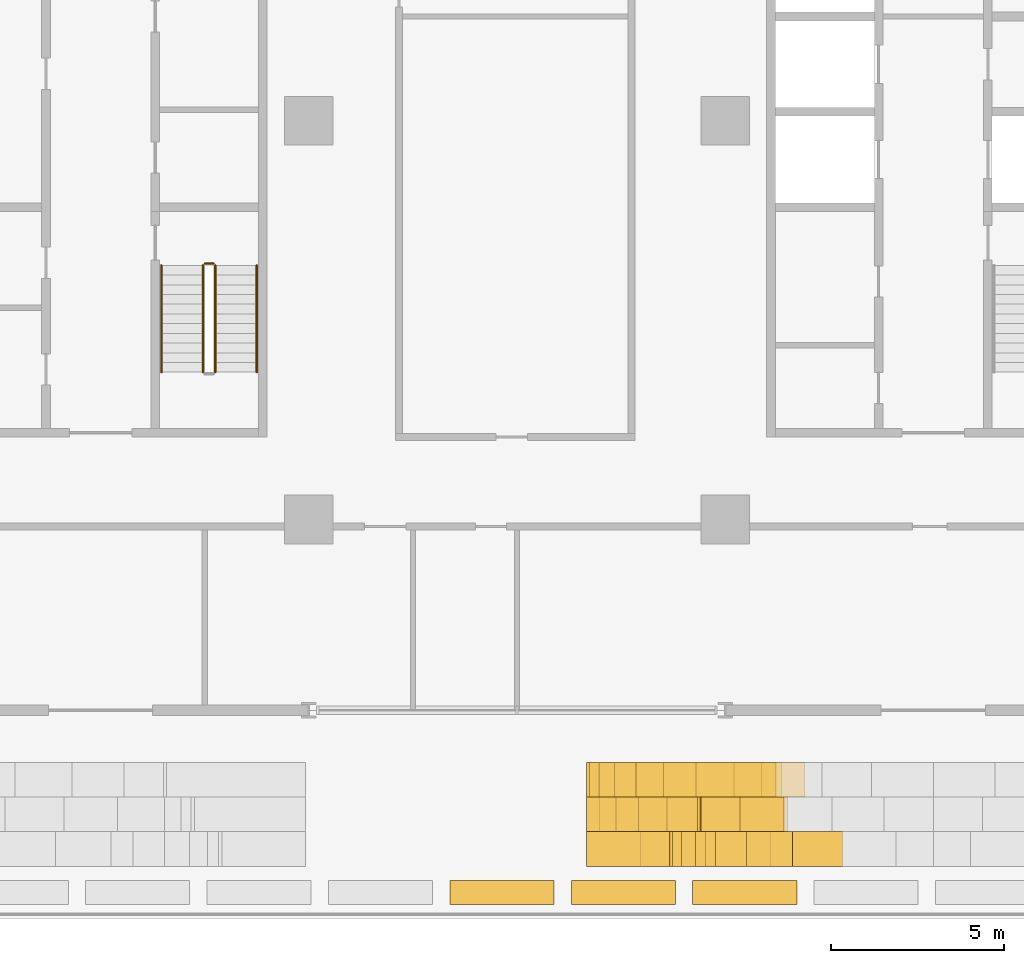
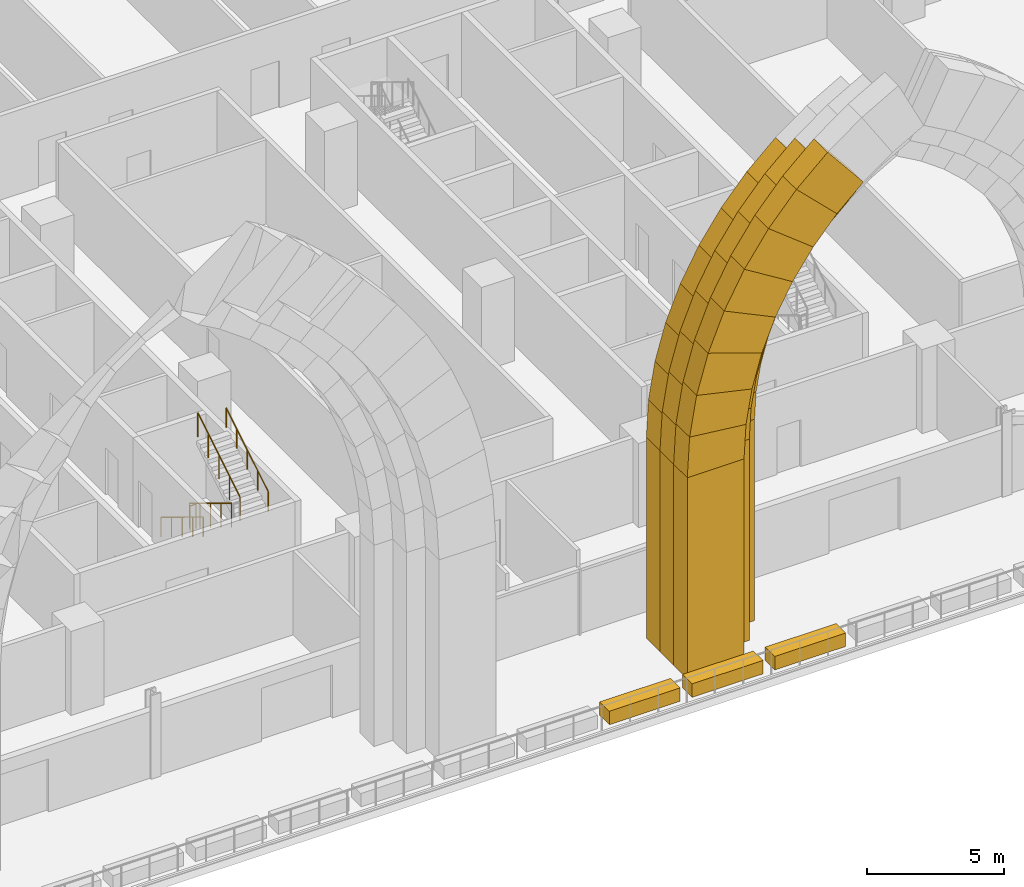
# One storey, part 25 of 31: 30 coverings, 5 railings.
"""IFC4 building model written with IfcOpenShell, lengths in metres."""

from ifc_helpers import new_model, si_unit, direction, frame, origin, origin_2d, place, context, subcontext, project, spatial, polyline, rectangle, circle, outline, extrude, material, layer, layer_set, type_object, element, save


model = new_model("IFC4")

# Units and contexts
model_context = context("Model", 3, precision=1e-05, world=origin(), true_north=direction((0.0, 1.0)))
body_context = subcontext(model_context, "Body", "Model", "MODEL_VIEW")
ifc_project = project(units=[si_unit("LENGTHUNIT", "METRE"), si_unit("AREAUNIT", "SQUARE_METRE"), si_unit("VOLUMEUNIT", "CUBIC_METRE"), si_unit("PLANEANGLEUNIT", "RADIAN"), si_unit("MASSUNIT", "GRAM", prefix="KILO")], contexts=[model_context])

# Site, building, storey
site_placement = place(None, origin())
site = spatial("IfcSite", under=ifc_project, at=site_placement, CompositionType="ELEMENT")
building_placement = place(site_placement, origin())
building = spatial("IfcBuilding", under=site, at=building_placement, Name="Mahtab Terrace Research Tower", CompositionType="ELEMENT")
storey_placement = place(building_placement, frame((0.0, 0.0, 84.800048828125)))
storey = spatial("IfcBuildingStorey", under=building, at=storey_placement, Name="L19", CompositionType="ELEMENT", Elevation=84.800048828125)

# Coverings
ifc_material_1 = material(Name="Glazed ceramic tile cladding", Category="masonry")
ifc_layer_1 = layer(ifc_material_1, 1.0)
ifc_layer_set_1 = layer_set([ifc_layer_1], Name="Iwan portal cladding arch course 800")
covering_type_1 = type_object("IfcCoveringType", Name="Iwan portal cladding arch course 800", PredefinedType="CLADDING", material=ifc_layer_set_1)
covering_1_placement = place(storey_placement, frame((14.0, -18.5, 9.030029296875), z_axis=(0.0, 1.0, 0.0), x_axis=(0.055445321339, 0.0, 0.998461725026)))
element("IfcCovering", 1, at=covering_1_placement, inside=storey, type_object=covering_type_1, Name="Iwan portal arch course 2.2.1W1", PredefinedType="CLADDING", context=body_context, shape_type="SweptSolid", body=[
    extrude(outline(polyline([(0.0, 0.0), (1.6424190702778676, 0.0), (1.4206162644977813, 3.9932942280407824), (0.2217812853563459, 3.993846900103419), (0.0, 0.0)])), origin(), (0.0, 0.0, -1.0), 1.0),
])
covering_2_placement = place(storey_placement, frame((14.091064453125, -18.5, 10.669921875), z_axis=(0.0, 1.0, 0.0), x_axis=(0.165652764477, 0.0, 0.986184141842)))
element("IfcCovering", 2, at=covering_2_placement, inside=storey, type_object=covering_type_1, Name="Iwan portal arch course 2.2.1W2", PredefinedType="CLADDING", context=body_context, shape_type="SweptSolid", body=[
    extrude(outline(polyline([(0.0, 0.0), (1.6418238301575085, 0.0), (1.419246660715294, 3.9939052201954057), (0.22169302371829686, 3.99330032424189), (0.0, 0.0)])), origin(), (0.0, 0.0, -1.0), 1.0),
])
covering_3_placement = place(storey_placement, frame((14.363037109375, -18.5, 12.2890625), z_axis=(0.0, 1.0, 0.0), x_axis=(0.273916212274, 0.0, 0.96175355921)))
element("IfcCovering", 3, at=covering_3_placement, inside=storey, type_object=covering_type_1, Name="Iwan portal arch course 2.2.1W3", PredefinedType="CLADDING", context=body_context, shape_type="SweptSolid", body=[
    extrude(outline(polyline([(0.0, 0.0), (1.6426598781421167, 0.0), (1.4204983944499325, 3.9946402638281038), (0.22137702865523756, 3.993971922215377), (0.0, 0.0)])), origin(), (0.0, 0.0, -1.0), 1.0),
])
covering_4_placement = place(storey_placement, frame((14.81298828125, -18.5, 13.868896484375), z_axis=(0.0, 1.0, 0.0), x_axis=(0.379269308261, 0.0, 0.925286329636)))
element("IfcCovering", 4, at=covering_4_placement, inside=storey, type_object=covering_type_1, Name="Iwan portal arch course 2.2.1W4", PredefinedType="CLADDING", context=body_context, shape_type="SweptSolid", body=[
    extrude(outline(polyline([(0.0, 0.0), (1.6427558503407425, 0.0), (1.422137776305045, 3.9941519644603893), (0.2238732688411582, 3.994544695172573), (0.0, 0.0)])), origin(), (0.0, 0.0, -1.0), 1.0),
])
covering_5_placement = place(storey_placement, frame((15.43603515625, -18.5, 15.388916015625), z_axis=(0.0, 1.0, 0.0), x_axis=(0.478820864805, 0.0, 0.877912626306)))
element("IfcCovering", 5, at=covering_5_placement, inside=storey, type_object=covering_type_1, Name="Iwan portal arch course 2.2.1W5", PredefinedType="CLADDING", context=body_context, shape_type="SweptSolid", body=[
    extrude(outline(polyline([(0.0, 0.0), (1.6412999717443724, 0.0), (1.4188001105659165, 3.9943428938694208), (0.22040329418192073, 3.994163822091899), (0.0, 0.0)])), origin(), (0.0, 0.0, -1.0), 1.0),
])
covering_6_placement = place(storey_placement, frame((16.221923828125, -18.5, 16.829833984375), z_axis=(0.0, 1.0, 0.0), x_axis=(0.57338256543, 0.0, 0.819287759985)))
element("IfcCovering", 6, at=covering_6_placement, inside=storey, type_object=covering_type_1, Name="Iwan portal arch course 2.2.1W6", PredefinedType="CLADDING", context=body_context, shape_type="SweptSolid", body=[
    extrude(outline(polyline([(0.0, 0.0), (1.6431240304078512, 0.0), (1.421006440140264, 3.994174018962017), (0.22259972388565274, 3.994337329890354), (0.0, 0.0)])), origin(), (0.0, 0.0, -1.0), 1.0),
])
covering_7_placement = place(storey_placement, frame((17.1640625, -18.5, 18.176025390625), z_axis=(0.0, 1.0, 0.0), x_axis=(0.660627894892, 0.0, 0.750713516923)))
element("IfcCovering", 7, at=covering_7_placement, inside=storey, type_object=covering_type_1, Name="Iwan portal arch course 2.2.1W7", PredefinedType="CLADDING", context=body_context, shape_type="SweptSolid", body=[
    extrude(outline(polyline([(0.0, 0.0), (1.642317779628924, -1.1102230246251565e-16), (1.4207619867097583, 3.9940891574966066), (0.22179772207989323, 3.9941917941102485), (0.0, 0.0)])), origin(), (0.0, 0.0, -1.0), 1.0),
])
covering_8_placement = place(storey_placement, frame((18.2490234375, -18.5, 19.408935546875), z_axis=(0.0, 1.0, 0.0), x_axis=(0.739832443814, 0.0, 0.672791167511)))
element("IfcCovering", 8, at=covering_8_placement, inside=storey, type_object=covering_type_1, Name="Iwan portal arch course 2.2.1W8", PredefinedType="CLADDING", context=body_context, shape_type="SweptSolid", body=[
    extrude(outline(polyline([(0.0, 0.0), (1.6423825432165557, 0.0), (1.4205958172984652, 3.993860746021702), (0.22290646608915798, 3.9940140053314326), (0.0, 0.0)])), origin(), (0.0, 0.0, -1.0), 1.0),
])
covering_9_placement = place(storey_placement, frame((14.0, -19.5, 9.030029296875), z_axis=(0.0, 1.0, 0.0), x_axis=(0.055422674108, 0.0, 0.998462982386)))
element("IfcCovering", 9, at=covering_9_placement, inside=storey, type_object=covering_type_1, Name="Iwan portal arch course 2.2.2W1", PredefinedType="CLADDING", context=body_context, shape_type="SweptSolid", body=[
    extrude(outline(polyline([(0.0, 0.0), (1.7135712892547854, 0.0), (1.5353767467416721, 3.194717996515579), (0.17734985095997974, 3.1950327905592237), (0.0, 0.0)])), origin(), (0.0, 0.0, -1.0), 1.0),
])
covering_10_placement = place(storey_placement, frame((14.094970703125, -19.5, 10.740966796875), z_axis=(0.0, 1.0, 0.0), x_axis=(0.165785799005, 0.0, 0.986161786345)))
element("IfcCovering", 10, at=covering_10_placement, inside=storey, type_object=covering_type_1, Name="Iwan portal arch course 2.2.2W2", PredefinedType="CLADDING", context=body_context, shape_type="SweptSolid", body=[
    extrude(outline(polyline([(0.0, 0.0), (1.7126650688919498, 0.0), (1.5359019355573533, 3.195596476591268), (0.17711933464351381, 3.1947777878183348), (0.0, 0.0)])), origin(), (0.0, 0.0, -1.0), 1.0),
])
covering_11_placement = place(storey_placement, frame((14.37890625, -19.5, 12.429931640625), z_axis=(0.0, 1.0, 0.0), x_axis=(0.274382426851, 0.0, 0.961620654851)))
element("IfcCovering", 11, at=covering_11_placement, inside=storey, type_object=covering_type_1, Name="Iwan portal arch course 2.2.2W3", PredefinedType="CLADDING", context=body_context, shape_type="SweptSolid", body=[
    extrude(outline(polyline([(0.0, 0.0), (1.713720696864449, 5.551115123125783e-17), (1.5376752509642477, 3.1948456415062), (0.17956262352972663, 3.1954403938643434), (0.0, 0.0)])), origin(), (0.0, 0.0, -1.0), 1.0),
])
covering_12_placement = place(storey_placement, frame((14.84912109375, -19.5, 14.077880859375), z_axis=(0.0, 1.0, 0.0), x_axis=(0.3786494866, 0.0, 0.925540148398)))
element("IfcCovering", 12, at=covering_12_placement, inside=storey, type_object=covering_type_1, Name="Iwan portal arch course 2.2.2W4", PredefinedType="CLADDING", context=body_context, shape_type="SweptSolid", body=[
    extrude(outline(polyline([(0.0, 0.0), (1.7137902049628886, 0.0), (1.5350590670632425, 3.194450801887505), (0.17698694953468197, 3.1947936227192786), (0.0, 0.0)])), origin(), (0.0, 0.0, -1.0), 1.0),
])
covering_13_placement = place(storey_placement, frame((15.498046875, -19.5, 15.6640625), z_axis=(0.0, 1.0, 0.0), x_axis=(0.479181539888, 0.0, 0.87771581496)))
element("IfcCovering", 13, at=covering_13_placement, inside=storey, type_object=covering_type_1, Name="Iwan portal arch course 2.2.2W5", PredefinedType="CLADDING", context=body_context, shape_type="SweptSolid", body=[
    extrude(outline(polyline([(0.0, 0.0), (1.7134318698231883, 1.1102230246251565e-16), (1.5356068035048103, 3.1948890312093434), (0.17745597940444569, 3.1945218923507532), (0.0, 0.0)])), origin(), (0.0, 0.0, -1.0), 1.0),
])
covering_14_placement = place(storey_placement, frame((16.319091796875, -19.5, 17.16796875), z_axis=(0.0, 1.0, 0.0), x_axis=(0.573376231142, 0.0, 0.819292193031)))
element("IfcCovering", 14, at=covering_14_placement, inside=storey, type_object=covering_type_1, Name="Iwan portal arch course 2.2.2W6", PredefinedType="CLADDING", context=body_context, shape_type="SweptSolid", body=[
    extrude(outline(polyline([(0.0, 0.0), (1.7125467370609757, 0.0), (1.53530403265396, 3.1948258713308464), (0.17685108212395706, 3.19494309350018), (0.0, 0.0)])), origin(), (0.0, 0.0, -1.0), 1.0),
])
covering_15_placement = place(storey_placement, frame((17.301025390625, -19.5, 18.571044921875), z_axis=(0.0, 1.0, 0.0), x_axis=(0.660509076924, 0.0, 0.750818060053)))
element("IfcCovering", 15, at=covering_15_placement, inside=storey, type_object=covering_type_1, Name="Iwan portal arch course 2.2.2W7", PredefinedType="CLADDING", context=body_context, shape_type="SweptSolid", body=[
    extrude(outline(polyline([(0.0, 0.0), (1.7139508262288419, 0.0), (1.5350846747426774, 3.195379418307231), (0.17734897153104412, 3.1948199740654077), (0.0, 0.0)])), origin(), (0.0, 0.0, -1.0), 1.0),
])
covering_16_placement = place(storey_placement, frame((18.43310546875, -19.5, 19.85791015625), z_axis=(0.0, 1.0, 0.0), x_axis=(0.739817486013, 0.0, 0.672807615436)))
element("IfcCovering", 16, at=covering_16_placement, inside=storey, type_object=covering_type_1, Name="Iwan portal arch course 2.2.2W8", PredefinedType="CLADDING", context=body_context, shape_type="SweptSolid", body=[
    extrude(outline(polyline([(0.0, 0.0), (1.712375994181273, 0.0), (1.535414166234869, 3.195508454565166), (0.1771603388402201, 3.195474447000155), (0.0, 0.0)])), origin(), (0.0, 0.0, -1.0), 1.0),
])
covering_17_placement = place(storey_placement, frame((14.0, -20.5, 9.030029296875), z_axis=(0.0, 1.0, 0.0), x_axis=(0.055538205847, 0.0, 0.998456562746)))
element("IfcCovering", 17, at=covering_17_placement, inside=storey, type_object=covering_type_1, Name="Iwan portal arch course 2.2.3W1", PredefinedType="CLADDING", context=body_context, shape_type="SweptSolid", body=[
    extrude(outline(polyline([(0.0, 0.0), (1.784737051528232, 0.0), (1.6514801036075688, 2.3958643430858415), (0.13328627037915539, 2.3961982450676236), (0.0, 0.0)])), origin(), (0.0, 0.0, -1.0), 1.0),
])
covering_18_placement = place(storey_placement, frame((14.09912109375, -20.5, 10.81201171875), z_axis=(0.0, 1.0, 0.0), x_axis=(0.165885869421, 0.0, 0.98614495807)))
element("IfcCovering", 18, at=covering_18_placement, inside=storey, type_object=covering_type_1, Name="Iwan portal arch course 2.2.3W2", PredefinedType="CLADDING", context=body_context, shape_type="SweptSolid", body=[
    extrude(outline(polyline([(0.0, 0.0), (1.7837470939040487, -5.551115123125783e-17), (1.6513369517107102, 2.3962292818576336), (0.13317264848908988, 2.3958690302964567), (0.0, 0.0)])), origin(), (0.0, 0.0, -1.0), 1.0),
])
covering_19_placement = place(storey_placement, frame((14.39501953125, -20.5, 12.571044921875), z_axis=(0.0, 1.0, 0.0), x_axis=(0.274088510821, 0.0, 0.961704470321)))
element("IfcCovering", 19, at=covering_19_placement, inside=storey, type_object=covering_type_1, Name="Iwan portal arch course 2.2.3W3", PredefinedType="CLADDING", context=body_context, shape_type="SweptSolid", body=[
    extrude(outline(polyline([(0.0, 0.0), (1.784145093894627, 0.0), (1.651881717754542, 2.3960773284988157), (0.1338056545318329, 2.396151761429755), (0.0, 0.0)])), origin(), (0.0, 0.0, -1.0), 1.0),
])
covering_20_placement = place(storey_placement, frame((14.884033203125, -20.5, 14.286865234375), z_axis=(0.0, 1.0, 0.0), x_axis=(0.378712726955, 0.0, 0.925514273495)))
element("IfcCovering", 20, at=covering_20_placement, inside=storey, type_object=covering_type_1, Name="Iwan portal arch course 2.2.3W4", PredefinedType="CLADDING", context=body_context, shape_type="SweptSolid", body=[
    extrude(outline(polyline([(0.0, 0.0), (1.7850611888858914, 0.0), (1.6515180705967392, 2.396037240593148), (0.13340207549403738, 2.3960142009320142), (0.0, 0.0)])), origin(), (0.0, 0.0, -1.0), 1.0),
])
covering_21_placement = place(storey_placement, frame((15.56005859375, -20.5, 15.93896484375), z_axis=(0.0, 1.0, 0.0), x_axis=(0.479216417131, 0.0, 0.877696773124)))
element("IfcCovering", 21, at=covering_21_placement, inside=storey, type_object=covering_type_1, Name="Iwan portal arch course 2.2.3W5", PredefinedType="CLADDING", context=body_context, shape_type="SweptSolid", body=[
    extrude(outline(polyline([(0.0, 0.0), (1.7841218250999835, 1.1102230246251565e-16), (1.6510819164880242, 2.3958358657926637), (0.13354771619989414, 2.396036984324201), (0.0, 0.0)])), origin(), (0.0, 0.0, -1.0), 1.0),
])
covering_22_placement = place(storey_placement, frame((16.4150390625, -20.5, 17.5048828125), z_axis=(0.0, 1.0, 0.0), x_axis=(0.573251135737, 0.0, 0.819379725998)))
element("IfcCovering", 22, at=covering_22_placement, inside=storey, type_object=covering_type_1, Name="Iwan portal arch course 2.2.3W6", PredefinedType="CLADDING", context=body_context, shape_type="SweptSolid", body=[
    extrude(outline(polyline([(0.0, 0.0), (1.7844695892917213, 0.0), (1.6509066480507963, 2.3963590214451806), (0.1324675598836329, 2.395867579537825), (0.0, 0.0)])), origin(), (0.0, 0.0, -1.0), 1.0),
])
covering_23_placement = place(storey_placement, frame((17.43798828125, -20.5, 18.967041015625), z_axis=(0.0, 1.0, 0.0), x_axis=(0.660865411801, 0.0, 0.750504435353)))
element("IfcCovering", 23, at=covering_23_placement, inside=storey, type_object=covering_type_1, Name="Iwan portal arch course 2.2.3W7", PredefinedType="CLADDING", context=body_context, shape_type="SweptSolid", body=[
    extrude(outline(polyline([(0.0, 0.0), (1.7839563957678128, 0.0), (1.6516609204301642, 2.396211026977815), (0.1339146296495548, 2.396339393929928), (0.0, 0.0)])), origin(), (0.0, 0.0, -1.0), 1.0),
])
covering_24_placement = place(storey_placement, frame((18.616943359375, -20.5, 20.305908203125), z_axis=(0.0, 1.0, 0.0), x_axis=(0.739698607121, 0.0, 0.672938311157)))
element("IfcCovering", 24, at=covering_24_placement, inside=storey, type_object=covering_type_1, Name="Iwan portal arch course 2.2.3W8", PredefinedType="CLADDING", context=body_context, shape_type="SweptSolid", body=[
    extrude(outline(polyline([(0.0, 0.0), (1.7846030081264783, -1.1102230246251565e-16), (1.6508346261543967, 2.395297922887341), (0.1331162255604963, 2.39616557213758), (0.0, 0.0)])), origin(), (0.0, 0.0, -1.0), 1.0),
])
ifc_layer_2 = layer(ifc_material_1, 1.0)
ifc_layer_set_2 = layer_set([ifc_layer_2], Name="Iwan portal cladding pilaster 900")
covering_type_2 = type_object("IfcCoveringType", Name="Iwan portal cladding pilaster 900", PredefinedType="CLADDING", material=ifc_layer_set_2)
covering_25_placement = place(storey_placement, frame((16.0, -19.0, 0.030029296875), z_axis=(0.0, 0.0, 1.0), x_axis=(1.0, 0.0, 0.0)))
element("IfcCovering", 25, at=covering_25_placement, inside=storey, type_object=covering_type_2, Name="Iwan portal pilaster 2.2.1W", PredefinedType="CLADDING", context=body_context, shape_type="SweptSolid", body=[
    extrude(rectangle(XDim=4.0, YDim=1.0, at=origin_2d()), origin(), (0.0, 0.0, 1.0), 9.0),
])
covering_26_placement = place(storey_placement, frame((15.60009765625, -20.0, 0.030029296875), z_axis=(0.0, 0.0, 1.0), x_axis=(1.0, 0.0, 0.0)))
element("IfcCovering", 26, at=covering_26_placement, inside=storey, type_object=covering_type_2, Name="Iwan portal pilaster 2.2.2W", PredefinedType="CLADDING", context=body_context, shape_type="SweptSolid", body=[
    extrude(rectangle(XDim=3.199951171875, YDim=1.0, at=origin_2d()), origin(), (0.0, 0.0, 1.0), 9.0),
])
covering_27_placement = place(storey_placement, frame((15.199951171875, -21.0, 0.030029296875), z_axis=(0.0, 0.0, 1.0), x_axis=(1.0, 0.0, 0.0)))
element("IfcCovering", 27, at=covering_27_placement, inside=storey, type_object=covering_type_2, Name="Iwan portal pilaster 2.2.3W", PredefinedType="CLADDING", context=body_context, shape_type="SweptSolid", body=[
    extrude(rectangle(XDim=2.39990234375, YDim=1.0, at=origin_2d()), origin(), (0.0, 0.0, 1.0), 9.0),
])
ifc_material_2 = material(Name="Planting soil and shrubs")
ifc_layer_3 = layer(ifc_material_2, 0.1201171875)
ifc_layer_set_3 = layer_set([ifc_layer_3], Name="Planter")
covering_type_3 = type_object("IfcCoveringType", Name="Planter", PredefinedType="USERDEFINED", material=ifc_layer_set_3)
for number, where, z_axis, x_axis, name in (
    (28, (11.56591796875, -22.25, 0.02978515625), (0.0, 0.0, 1.0), (1.0, 0.0, 0.0), "PLANTER terrace 2"),
    (29, (15.06591796875, -22.25, 0.02978515625), (0.0, 0.0, 1.0), (1.0, 0.0, 0.0), "PLANTER terrace 2"),
    (30, (18.56591796875, -22.25, 0.02978515625), (0.0, 0.0, 1.0), (1.0, 0.0, 0.0), "PLANTER terrace 2"),
):
    element("IfcCovering", number, at=place(storey_placement, frame(where, z_axis=z_axis, x_axis=x_axis)), inside=storey, type_object=covering_type_3, Name=name, ObjectType="PLANTER", PredefinedType="USERDEFINED", context=body_context, shape_type="SweptSolid", body=[
        extrude(rectangle(XDim=3.0, YDim=0.699951171875, at=origin_2d()), origin(), (0.0, 0.0, 1.0), 0.60009765625),
    ])

# Railings
ifc_material_3 = material(Name="Stainless steel AISI 304", Category="steel")
railing_type_1 = type_object("IfcRailingType", Name="Stair guard 1100", PredefinedType="GUARDRAIL", material=ifc_material_3)
railing_1_placement = place(storey_placement, frame((2.949951171875, -4.175048828125, 0.1708984375)))
element("IfcRailing", 31, at=railing_1_placement, inside=storey, type_object=railing_type_1, Name="L19 ST2 stair guard 1", PredefinedType="GUARDRAIL", context=body_context, shape_type="SweptSolid", body=[
    extrude(circle(Radius=0.02392578125, at=origin_2d()), frame((0.0, 0.0, 1.076171875), z_axis=(0.0, -0.853647949592, 0.520850437417), x_axis=(1.0, 0.0, 0.0)), (0.0, 0.0, 1.0), 3.60791015625),
    extrude(circle(Radius=0.02099609375, at=origin_2d()), origin(), (0.0, 0.0, 1.0), 1.052001953125),
    extrude(circle(Radius=0.02099609375, at=origin_2d()), frame((0.0, -0.77001953125, 0.4697265625)), (0.0, 0.0, 1.0), 1.052001953125),
    extrude(circle(Radius=0.02099609375, at=origin_2d()), frame((0.0, -1.5400390625, 0.939453125)), (0.0, 0.0, 1.0), 1.052001953125),
    extrude(circle(Radius=0.02099609375, at=origin_2d()), frame((0.0, -2.309814453125, 1.409423828125)), (0.0, 0.0, 1.0), 1.052001953125),
    extrude(circle(Radius=0.02099609375, at=origin_2d()), frame((0.0, -3.079833984375, 1.879150390625)), (0.0, 0.0, 1.0), 1.052001953125),
])
railing_2_placement = place(storey_placement, frame((3.300048828125, -7.2548828125, 2.220703125)))
element("IfcRailing", 32, at=railing_2_placement, inside=storey, type_object=railing_type_1, Name="L19 ST2 stair guard 3", PredefinedType="GUARDRAIL", context=body_context, shape_type="SweptSolid", body=[
    extrude(circle(Radius=0.02392578125, at=origin_2d()), frame((0.0, 0.0, 1.076171875), z_axis=(0.0, 0.853647949592, 0.520850437417), x_axis=(-1.0, 0.0, 0.0)), (0.0, 0.0, 1.0), 3.60791015625),
    extrude(circle(Radius=0.02099609375, at=origin_2d()), origin(), (0.0, 0.0, 1.0), 1.052001953125),
    extrude(circle(Radius=0.02099609375, at=origin_2d()), frame((0.0, 0.77001953125, 0.4697265625)), (0.0, 0.0, 1.0), 1.052001953125),
    extrude(circle(Radius=0.02099609375, at=origin_2d()), frame((0.0, 1.5400390625, 0.939453125)), (0.0, 0.0, 1.0), 1.052001953125),
    extrude(circle(Radius=0.02099609375, at=origin_2d()), frame((0.0, 2.309814453125, 1.409423828125)), (0.0, 0.0, 1.0), 1.052001953125),
    extrude(circle(Radius=0.02099609375, at=origin_2d()), frame((0.0, 3.079833984375, 1.879150390625)), (0.0, 0.0, 1.0), 1.052001953125),
])
railing_3_placement = place(storey_placement, frame((3.0, -4.125, 0.0)))
element("IfcRailing", 33, at=railing_3_placement, inside=storey, type_object=railing_type_1, Name="L19 ST2 stair guard 4", PredefinedType="GUARDRAIL", context=body_context, shape_type="SweptSolid", body=[
    extrude(circle(Radius=0.02392578125, at=origin_2d()), frame((0.0, 0.0, 1.076171875), z_axis=(1.0, 0.0, 0.0), x_axis=(0.0, 1.0, 0.0)), (0.0, 0.0, 1.0), 0.25),
    extrude(circle(Radius=0.02099609375, at=origin_2d()), origin(), (0.0, 0.0, 1.0), 1.052001953125),
    extrude(circle(Radius=0.02099609375, at=origin_2d()), frame((0.25, 0.0, 0.0)), (0.0, 0.0, 1.0), 1.052001953125),
])
railing_type_2 = type_object("IfcRailingType", Name="Stair handrail 900", PredefinedType="HANDRAIL", material=ifc_material_3)
railing_4_placement = place(storey_placement, frame((1.75, -4.175048828125, 0.1708984375)))
element("IfcRailing", 34, at=railing_4_placement, inside=storey, type_object=railing_type_2, Name="L19 ST2 stair handrail 1", PredefinedType="HANDRAIL", context=body_context, shape_type="SweptSolid", body=[
    extrude(circle(Radius=0.02392578125, at=origin_2d()), frame((0.0, 0.0, 0.8759765625), z_axis=(0.0, -0.853647949592, 0.520850437417), x_axis=(1.0, 0.0, 0.0)), (0.0, 0.0, 1.0), 3.60791015625),
    extrude(circle(Radius=0.02099609375, at=origin_2d()), origin(), (0.0, 0.0, 1.0), 0.851806640625),
    extrude(circle(Radius=0.02099609375, at=origin_2d()), frame((0.0, -0.77001953125, 0.4697265625)), (0.0, 0.0, 1.0), 0.851806640625),
    extrude(circle(Radius=0.02099609375, at=origin_2d()), frame((0.0, -1.5400390625, 0.939453125)), (0.0, 0.0, 1.0), 0.851806640625),
    extrude(circle(Radius=0.02099609375, at=origin_2d()), frame((0.0, -2.309814453125, 1.409423828125)), (0.0, 0.0, 1.0), 0.851806640625),
    extrude(circle(Radius=0.02099609375, at=origin_2d()), frame((0.0, -3.079833984375, 1.879150390625)), (0.0, 0.0, 1.0), 0.851806640625),
])
railing_5_placement = place(storey_placement, frame((4.5, -7.2548828125, 2.220703125)))
element("IfcRailing", 35, at=railing_5_placement, inside=storey, type_object=railing_type_2, Name="L19 ST2 stair handrail 2", PredefinedType="HANDRAIL", context=body_context, shape_type="SweptSolid", body=[
    extrude(circle(Radius=0.02392578125, at=origin_2d()), frame((0.0, 0.0, 0.8759765625), z_axis=(0.0, 0.853647949592, 0.520850437417), x_axis=(-1.0, 0.0, 0.0)), (0.0, 0.0, 1.0), 3.60791015625),
    extrude(circle(Radius=0.02099609375, at=origin_2d()), origin(), (0.0, 0.0, 1.0), 0.851806640625),
    extrude(circle(Radius=0.02099609375, at=origin_2d()), frame((0.0, 0.77001953125, 0.4697265625)), (0.0, 0.0, 1.0), 0.851806640625),
    extrude(circle(Radius=0.02099609375, at=origin_2d()), frame((0.0, 1.5400390625, 0.939453125)), (0.0, 0.0, 1.0), 0.851806640625),
    extrude(circle(Radius=0.02099609375, at=origin_2d()), frame((0.0, 2.309814453125, 1.409423828125)), (0.0, 0.0, 1.0), 0.851806640625),
    extrude(circle(Radius=0.02099609375, at=origin_2d()), frame((0.0, 3.079833984375, 1.879150390625)), (0.0, 0.0, 1.0), 0.851806640625),
])

save(model, "model.ifc")
